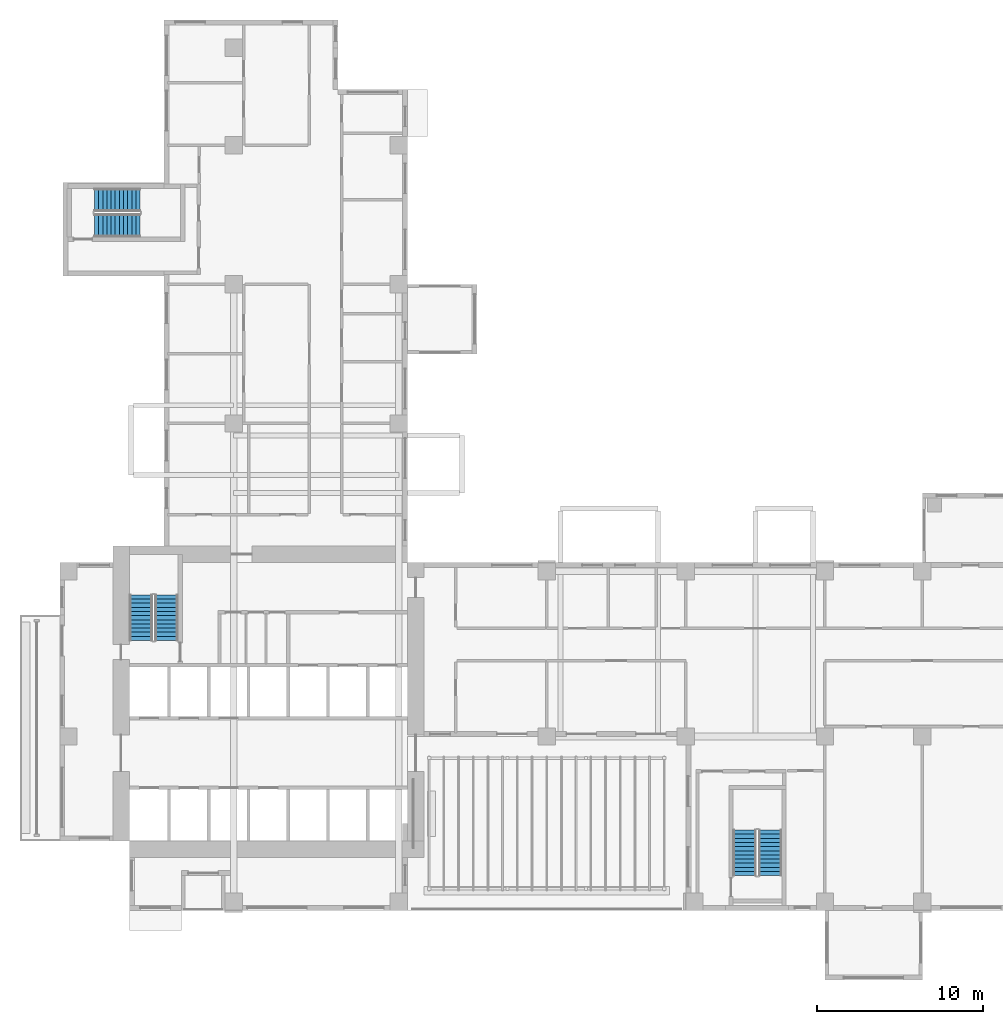
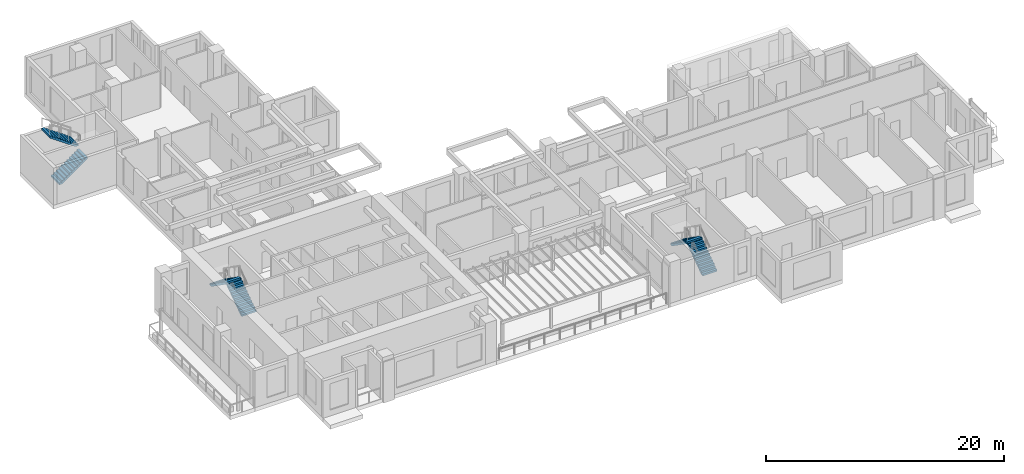
# One storey, part 10 of 15: 6 stair flights, 3 elements without a shape of their own.
"""IFC4 building model written with IfcOpenShell, lengths in metres."""

from ifc_helpers import new_model, si_unit, direction, frame, origin, place, context, subcontext, project, spatial, polyline, outline, extrude, source, transform, mapped, material, type_object, element, aggregate, save


model = new_model("IFC4")

# Units and contexts
model_context = context("Model", 3, precision=1e-05, world=origin(), true_north=direction((0.0, 1.0)))
body_context = subcontext(model_context, "Body", "Model", "MODEL_VIEW")
ifc_project = project(units=[si_unit("LENGTHUNIT", "METRE"), si_unit("AREAUNIT", "SQUARE_METRE"), si_unit("VOLUMEUNIT", "CUBIC_METRE"), si_unit("PLANEANGLEUNIT", "RADIAN"), si_unit("MASSUNIT", "GRAM", prefix="KILO")], contexts=[model_context])

# Site, building, storey
site_placement = place(None, origin())
site = spatial("IfcSite", under=ifc_project, at=site_placement, CompositionType="ELEMENT")
building_placement = place(site_placement, origin())
building = spatial("IfcBuilding", under=site, at=building_placement, Name="Aurelian Terraces", CompositionType="ELEMENT")
storey_placement = place(building_placement, frame((0.0, 0.0, 145.5)))
storey = spatial("IfcBuildingStorey", under=building, at=storey_placement, Name="L32", CompositionType="ELEMENT", Elevation=145.5)

# Stair, stair flights
ifc_material = material(Name="Concrete fc' 40 MPa", Category="concrete")
stair_type = type_object("IfcStairType", Name="Stair 1400", PredefinedType="HALF_TURN_STAIR", material=ifc_material)
stair_1_placement = place(storey_placement, origin())
stair_1 = element("IfcStair", 1, at=stair_1_placement, inside=storey, type_object=stair_type, Name="L32 S1", PredefinedType="HALF_TURN_STAIR")
stair_flight_type = type_object("IfcStairFlightType", Name="Stair flight 1400", PredefinedType="STRAIGHT", material=ifc_material)
shared_shape = source(origin(), body_context, "Body", "SweptSolid", [
    extrude(outline(polyline([(0.0, 0.0), (0.0, 0.175), (0.25, 0.175), (0.25, 0.35), (0.5, 0.35), (0.5, 0.525), (0.75, 0.525), (0.75, 0.7), (1.0, 0.7), (1.0, 0.875), (1.25, 0.875), (1.25, 1.05), (1.5, 1.05), (1.5, 1.225), (1.75, 1.225), (1.75, 1.4), (2.0, 1.4), (2.0, 1.575), (2.25, 1.575), (2.25, 1.75), (2.5, 1.75), (2.5, 1.925), (2.75, 1.925), (2.75, 2.1), (2.75, 1.7419), (0.2616, 0.0), (0.0, 0.0)])), frame((0.0, 0.7, 0.0), z_axis=(0.0, -1.0, 0.0), x_axis=(1.0, 0.0, 0.0)), (0.0, 0.0, 1.0), 1.4),
])
stair_flight_1_placement = place(storey_placement, frame((6.45, 16.3, 2e-08), z_axis=(0.0, 0.0, 1.0), x_axis=(0.0, 1.0, 0.0)))
stair_flight_1 = element("IfcStairFlight", 2, at=stair_flight_1_placement, type_object=stair_flight_type, Name="S1 flight 1", NumberOfRisers=12, NumberOfTreads=11, PredefinedType="STRAIGHT", RiserHeight=0.175, TreadLength=0.25, context=body_context, shape_type="MappedRepresentation", body=[
    mapped(shared_shape, transform((0.0, 0.0, 0.0), scale=1.0)),
])
stair_flight_2_placement = place(storey_placement, frame((4.9, 19.05, 2.100000019999994), z_axis=(0.0, 0.0, 1.0), x_axis=(0.0, -1.0, 0.0)))
stair_flight_2 = element("IfcStairFlight", 3, at=stair_flight_2_placement, type_object=stair_flight_type, Name="S1 flight 2", NumberOfRisers=12, NumberOfTreads=11, PredefinedType="STRAIGHT", RiserHeight=0.175, TreadLength=0.25, context=body_context, shape_type="MappedRepresentation", body=[
    mapped(shared_shape, transform((0.0, 0.0, 0.0), scale=1.0)),
])
aggregate(stair_1, [stair_flight_1, stair_flight_2])

stair_2_placement = place(storey_placement, origin())
stair_2 = element("IfcStair", 4, at=stair_2_placement, inside=storey, type_object=stair_type, Name="L32 S2", PredefinedType="HALF_TURN_STAIR")
stair_flight_3_placement = place(storey_placement, frame((42.9, 2.1, 2e-08), z_axis=(0.0, 0.0, 1.0), x_axis=(0.0, 1.0, 0.0)))
stair_flight_3 = element("IfcStairFlight", 5, at=stair_flight_3_placement, type_object=stair_flight_type, Name="S2 flight 1", NumberOfRisers=12, NumberOfTreads=11, PredefinedType="STRAIGHT", RiserHeight=0.175, TreadLength=0.25, context=body_context, shape_type="MappedRepresentation", body=[
    mapped(shared_shape, transform((0.0, 0.0, 0.0), scale=1.0)),
])
stair_flight_4_placement = place(storey_placement, frame((41.35, 4.85, 2.100000019999994), z_axis=(0.0, 0.0, 1.0), x_axis=(0.0, -1.0, 0.0)))
stair_flight_4 = element("IfcStairFlight", 6, at=stair_flight_4_placement, type_object=stair_flight_type, Name="S2 flight 2", NumberOfRisers=12, NumberOfTreads=11, PredefinedType="STRAIGHT", RiserHeight=0.175, TreadLength=0.25, context=body_context, shape_type="MappedRepresentation", body=[
    mapped(shared_shape, transform((0.0, 0.0, 0.0), scale=1.0)),
])
aggregate(stair_2, [stair_flight_3, stair_flight_4])

stair_3_placement = place(storey_placement, origin())
stair_3 = element("IfcStair", 7, at=stair_3_placement, inside=storey, type_object=stair_type, Name="L32 S3", PredefinedType="HALF_TURN_STAIR")
stair_flight_5_placement = place(storey_placement, frame((2.1, 41.35, 2e-08), z_axis=(0.0, 0.0, 1.0), x_axis=(1.0, 0.0, 0.0)))
stair_flight_5 = element("IfcStairFlight", 8, at=stair_flight_5_placement, type_object=stair_flight_type, Name="S3 flight 1", NumberOfRisers=12, NumberOfTreads=11, PredefinedType="STRAIGHT", RiserHeight=0.175, TreadLength=0.25, context=body_context, shape_type="MappedRepresentation", body=[
    mapped(shared_shape, transform((0.0, 0.0, 0.0), scale=1.0)),
])
stair_flight_6_placement = place(storey_placement, frame((4.85, 42.9, 2.100000019999994), z_axis=(0.0, 0.0, 1.0), x_axis=(-1.0, 0.0, 0.0)))
stair_flight_6 = element("IfcStairFlight", 9, at=stair_flight_6_placement, type_object=stair_flight_type, Name="S3 flight 2", NumberOfRisers=12, NumberOfTreads=11, PredefinedType="STRAIGHT", RiserHeight=0.175, TreadLength=0.25, context=body_context, shape_type="MappedRepresentation", body=[
    mapped(shared_shape, transform((0.0, 0.0, 0.0), scale=1.0)),
])
aggregate(stair_3, [stair_flight_5, stair_flight_6])

save(model, "model.ifc")
